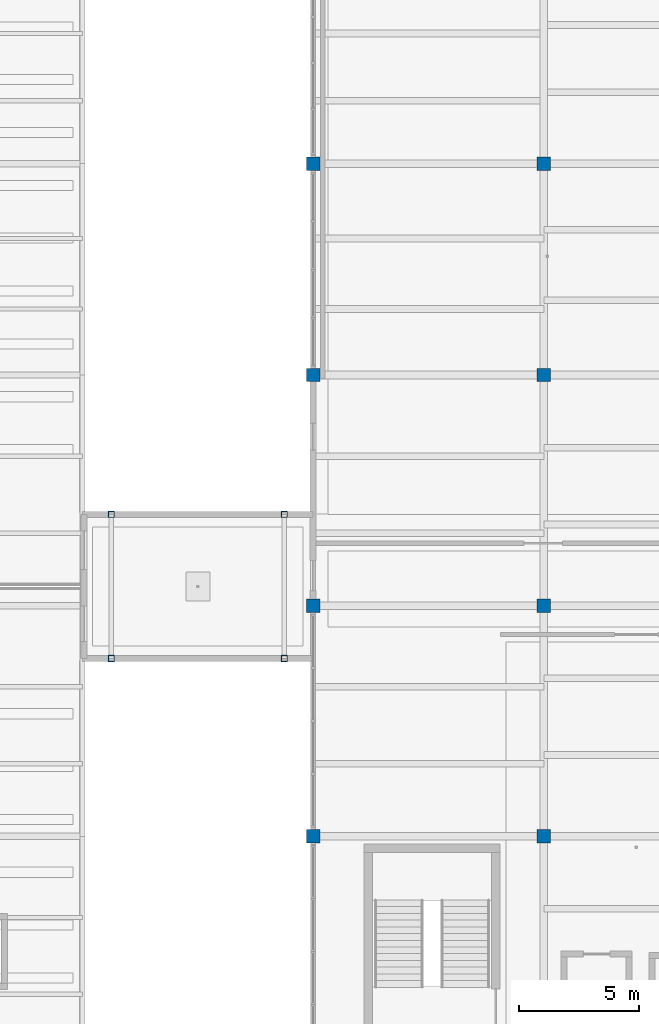
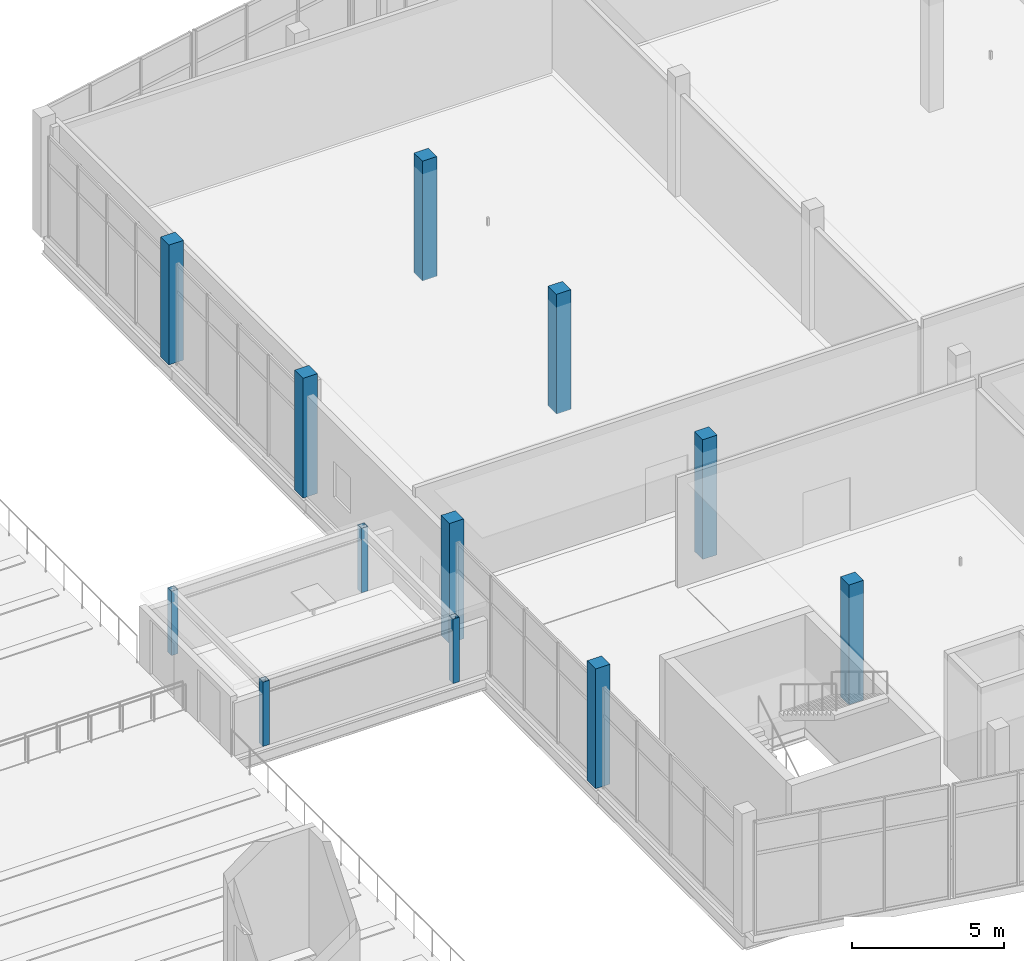
# One storey, part 6 of 157: 12 columns.
"""IFC4 building model written with IfcOpenShell, lengths in metres."""

from ifc_helpers import new_model, si_unit, direction, frame, origin, origin_2d, place, context, subcontext, project, spatial, rectangle, hollow_rectangle, extrude, material, material_profile, profile_set, type_object, element, save


model = new_model("IFC4")

# Units and contexts
model_context = context("Model", 3, precision=1e-05, world=origin(), true_north=direction((0.0, 1.0)))
body_context = subcontext(model_context, "Body", "Model", "MODEL_VIEW")
ifc_project = project(units=[si_unit("LENGTHUNIT", "METRE"), si_unit("AREAUNIT", "SQUARE_METRE"), si_unit("VOLUMEUNIT", "CUBIC_METRE"), si_unit("PLANEANGLEUNIT", "RADIAN"), si_unit("MASSUNIT", "GRAM", prefix="KILO")], contexts=[model_context])

# Site, building, storey
site_placement = place(None, origin())
site = spatial("IfcSite", under=ifc_project, at=site_placement, CompositionType="ELEMENT")
building_placement = place(site_placement, origin())
building = spatial("IfcBuilding", under=site, at=building_placement, Name="Chalmorin Arch Market", CompositionType="ELEMENT")
storey_placement = place(building_placement, frame((0.0, 0.0, 4.800048828125)))
storey = spatial("IfcBuildingStorey", under=building, at=storey_placement, Name="L01", CompositionType="ELEMENT", Elevation=4.800048828125)

# Columns
ifc_material_1 = material(Name="Concrete C40/50", Category="concrete")
ifc_material_profile_1 = material_profile(ifc_material_1, rectangle(XDim=0.550048828125, YDim=0.550048828125, at=origin_2d()), Name="RC550X550")
ifc_profile_set_1 = profile_set([ifc_material_profile_1], Name="Concrete C40/50")
column_type_1 = type_object("IfcColumnType", Name="MidConcreteColumn-550x550", PredefinedType="COLUMN", material=ifc_profile_set_1)
for number, where, z_axis, x_axis, name in (
    (1, (48.0, 81.60009765625, 0.0), (0.0, 0.0, 1.0), (1.0, 0.0, 0.0), "C-RC7-232"),
    (2, (48.0, 91.199951171875, 0.0), (0.0, 0.0, 1.0), (1.0, 0.0, 0.0), "C-RC7-237"),
    (3, (48.0, 100.800048828125, 0.0), (0.0, 0.0, 1.0), (1.0, 0.0, 0.0), "C-RC7-242"),
    (4, (48.0, 109.60009765625, 0.0), (0.0, 0.0, 1.0), (1.0, 0.0, 0.0), "C-RC7-247"),
    (5, (57.60009765625, 81.60009765625, 0.0), (0.0, 0.0, 1.0), (1.0, 0.0, 0.0), "C-RC7-287"),
    (6, (57.60009765625, 91.199951171875, 0.0), (0.0, 0.0, 1.0), (1.0, 0.0, 0.0), "C-RC7-292"),
    (7, (57.60009765625, 100.800048828125, 0.0), (0.0, 0.0, 1.0), (1.0, 0.0, 0.0), "C-RC7-297"),
    (8, (57.60009765625, 109.60009765625, 0.0), (0.0, 0.0, 1.0), (1.0, 0.0, 0.0), "C-RC7-302"),
):
    element("IfcColumn", number, at=place(storey_placement, frame(where, z_axis=z_axis, x_axis=x_axis)), inside=storey, type_object=column_type_1, Name=name, PredefinedType="COLUMN", context=body_context, shape_type="SweptSolid", body=[
        extrude(rectangle(XDim=0.550048828125, YDim=0.550048828125, at=origin_2d()), origin(), (0.0, 0.0, 1.0), 4.800048828125),
    ])
ifc_material_2 = material(Name="Steel A500 Grade C", Category="steel")
ifc_material_profile_2 = material_profile(ifc_material_2, hollow_rectangle(XDim=0.25390625, YDim=0.25390625, WallThickness=0.01171875, at=origin_2d()), Name="HSS10X10X1/2")
ifc_profile_set_2 = profile_set([ifc_material_profile_2], Name="Steel A500 Grade C")
column_type_2 = type_object("IfcColumnType", Name="SteelTubeColumn-HSS10X10", PredefinedType="COLUMN", material=ifc_profile_set_2)
for number, where, z_axis, x_axis, name in (
    (9, (39.60009765625, 89.0, 0.0), (0.0, 0.0, 1.0), (1.0, 0.0, 0.0), "C-HS2-750"),
    (10, (39.60009765625, 95.0, 0.0), (0.0, 0.0, 1.0), (1.0, 0.0, 0.0), "C-HS2-753"),
    (11, (46.800048828125, 89.0, 0.0), (0.0, 0.0, 1.0), (1.0, 0.0, 0.0), "C-HS2-756"),
    (12, (46.800048828125, 95.0, 0.0), (0.0, 0.0, 1.0), (1.0, 0.0, 0.0), "C-HS2-759"),
):
    element("IfcColumn", number, at=place(storey_placement, frame(where, z_axis=z_axis, x_axis=x_axis)), inside=storey, type_object=column_type_2, Name=name, PredefinedType="COLUMN", context=body_context, shape_type="SweptSolid", body=[
        extrude(hollow_rectangle(XDim=0.25390625, YDim=0.25390625, WallThickness=0.01171875, at=origin_2d()), origin(), (0.0, 0.0, 1.0), 2.579833984375),
    ])

save(model, "model.ifc")
